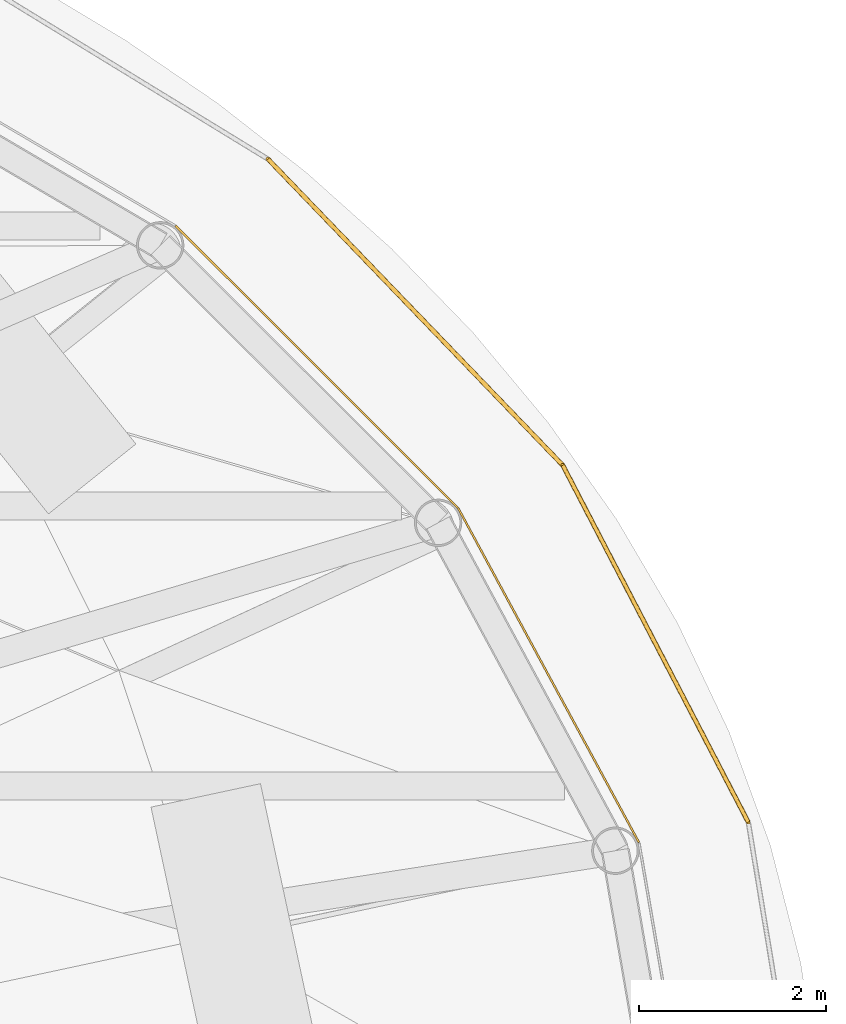
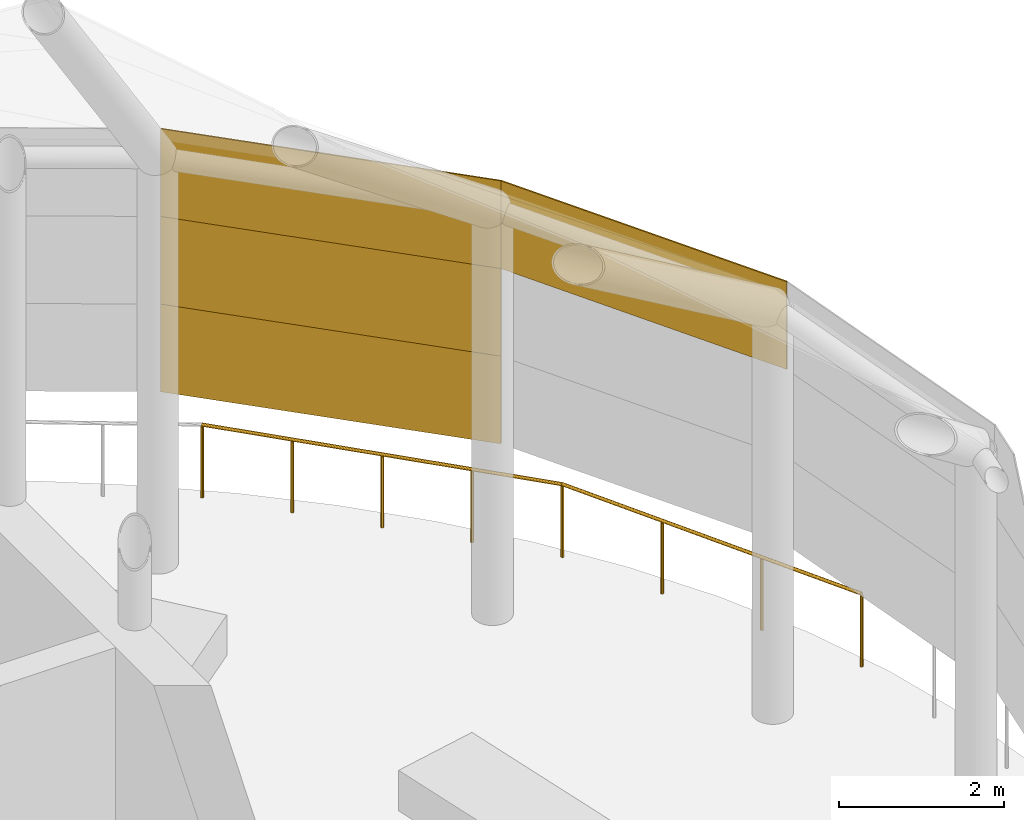
# One storey, part 8 of 8: 4 coverings, 2 railings.
"""IFC4 building model written with IfcOpenShell, lengths in metres."""

from ifc_helpers import new_model, si_unit, direction, frame, origin, origin_2d, place, context, subcontext, project, spatial, polyline, circle, outline, extrude, material, layer, layer_set, type_object, element, save


model = new_model("IFC4")

# Units and contexts
model_context = context("Model", 3, precision=1e-05, world=origin(), true_north=direction((0.0, 1.0)))
body_context = subcontext(model_context, "Body", "Model", "MODEL_VIEW")
ifc_project = project(units=[si_unit("LENGTHUNIT", "METRE"), si_unit("AREAUNIT", "SQUARE_METRE"), si_unit("VOLUMEUNIT", "CUBIC_METRE"), si_unit("PLANEANGLEUNIT", "RADIAN"), si_unit("MASSUNIT", "GRAM", prefix="KILO")], contexts=[model_context])

# Site, building, storey
site_placement = place(None, origin())
site = spatial("IfcSite", under=ifc_project, at=site_placement, CompositionType="ELEMENT")
building_placement = place(site_placement, origin())
building = spatial("IfcBuilding", under=site, at=building_placement, Name="Hankou Lantern Tower", CompositionType="ELEMENT")
storey_placement = place(building_placement, frame((0.0, 0.0, 248.699951171875)))
storey = spatial("IfcBuildingStorey", under=building, at=storey_placement, Name="RF", CompositionType="ELEMENT", Elevation=248.699951171875)

# Railings
ifc_material_1 = material(Name="Stainless steel and laminated glass guard", Category="steel")
railing_type = type_object("IfcRailingType", Name="GR1 GUARD 1100", PredefinedType="GUARDRAIL", material=ifc_material_1)
railing_1_placement = place(storey_placement, frame((19.171142578125, 4.109619140625, 0.0)))
element("IfcRailing", 1, at=railing_1_placement, inside=storey, type_object=railing_type, Name="Roof garden guard R02", PredefinedType="GUARDRAIL", context=body_context, shape_type="SweptSolid", body=[
    extrude(circle(Radius=0.02392578125, at=origin_2d()), frame((0.0, 0.0, 1.076171875), z_axis=(-0.461153089245, 0.887320589347, 0.0), x_axis=(-0.887320589347, -0.461153089245, 0.0)), (0.0, 0.0, 1.0), 4.3125),
    extrude(circle(Radius=0.02099609375, at=origin_2d()), origin(), (0.0, 0.0, 1.0), 1.052001953125),
    extrude(circle(Radius=0.02099609375, at=origin_2d()), frame((-0.662841796875, 1.275634765625, 0.0)), (0.0, 0.0, 1.0), 1.052001953125),
    extrude(circle(Radius=0.02099609375, at=origin_2d()), frame((-1.325927734375, 2.551025390625, 0.0)), (0.0, 0.0, 1.0), 1.052001953125),
    extrude(circle(Radius=0.02099609375, at=origin_2d()), frame((-1.98876953125, 3.82666015625, 0.0)), (0.0, 0.0, 1.0), 1.052001953125),
])
railing_2_placement = place(storey_placement, frame((17.182373046875, 7.936279296875, 0.0)))
element("IfcRailing", 2, at=railing_2_placement, inside=storey, type_object=railing_type, Name="Roof garden guard R03", PredefinedType="GUARDRAIL", context=body_context, shape_type="SweptSolid", body=[
    extrude(circle(Radius=0.02392578125, at=origin_2d()), frame((0.0, 0.0, 1.076171875), z_axis=(-0.693555176041, 0.720403510394, 0.0), x_axis=(-0.720403510394, -0.693555176041, 0.0)), (0.0, 0.0, 1.0), 4.5556640625),
    extrude(circle(Radius=0.02099609375, at=origin_2d()), origin(), (0.0, 0.0, 1.0), 1.052001953125),
    extrude(circle(Radius=0.02099609375, at=origin_2d()), frame((-0.7900390625, 0.820556640625, 0.0)), (0.0, 0.0, 1.0), 1.052001953125),
    extrude(circle(Radius=0.02099609375, at=origin_2d()), frame((-1.579833984375, 1.64111328125, 0.0)), (0.0, 0.0, 1.0), 1.052001953125),
    extrude(circle(Radius=0.02099609375, at=origin_2d()), frame((-2.36962890625, 2.46142578125, 0.0)), (0.0, 0.0, 1.0), 1.052001953125),
    extrude(circle(Radius=0.02099609375, at=origin_2d()), frame((-3.15966796875, 3.281982421875, 0.0)), (0.0, 0.0, 1.0), 1.052001953125),
])

# Coverings
ifc_material_2 = material(Name="Perforated aluminium, black anodised", Category="aluminium")
ifc_layer = layer(ifc_material_2, 0.02001953125)
ifc_layer_set = layer_set([ifc_layer], Name="Perforated aluminium, black anodised")
covering_type = type_object("IfcCoveringType", Name="LS1 LANTERN SCREEN PANEL", PredefinedType="CLADDING", material=ifc_layer_set)
covering_1_placement = place(storey_placement, frame((18.007568359375, 3.89794921875, 4.949951171875), z_axis=(0.879673317094, 0.475578442734, 0.0), x_axis=(-0.475578442734, 0.879673317094, 0.0)))
element("IfcCovering", 3, at=covering_1_placement, inside=storey, type_object=covering_type, Name="Lantern screen R02-R03 row 3", PredefinedType="CLADDING", context=body_context, shape_type="SweptSolid", body=[
    extrude(outline(polyline([(0.0, 0.0), (4.074499528377186, 0.0), (4.074499528377186, 1.3000488281249998), (0.0, 1.3000488281249998), (0.0, 0.0)])), origin(), (0.0, 0.0, -1.0), 0.02001953125),
])
covering_2_placement = place(storey_placement, frame((16.06640625, 7.487060546875, 2.35009765625), z_axis=(0.706564598216, 0.70764854875, 0.0), x_axis=(-0.70764854875, 0.706564598216, 0.0)))
element("IfcCovering", 4, at=covering_2_placement, inside=storey, type_object=covering_type, Name="Lantern screen R03-R04 row 1", PredefinedType="CLADDING", context=body_context, shape_type="SweptSolid", body=[
    extrude(outline(polyline([(0.0, 0.0), (4.279412877831817, 0.0), (4.279412877831817, 1.3000488281250002), (0.0, 1.3000488281250002), (0.0, 0.0)])), origin(), (0.0, 0.0, -1.0), 0.02001953125),
])
covering_3_placement = place(storey_placement, frame((16.06640625, 7.487060546875, 3.650146484375), z_axis=(0.706564598216, 0.70764854875, 0.0), x_axis=(-0.70764854875, 0.706564598216, 0.0)))
element("IfcCovering", 5, at=covering_3_placement, inside=storey, type_object=covering_type, Name="Lantern screen R03-R04 row 2", PredefinedType="CLADDING", context=body_context, shape_type="SweptSolid", body=[
    extrude(outline(polyline([(0.0, 0.0), (4.279412877831817, 0.0), (4.279412877831817, 1.2998046875), (0.0, 1.2998046875), (0.0, 0.0)])), origin(), (0.0, 0.0, -1.0), 0.02001953125),
])
covering_4_placement = place(storey_placement, frame((16.06640625, 7.487060546875, 4.949951171875), z_axis=(0.706564598216, 0.70764854875, 0.0), x_axis=(-0.70764854875, 0.706564598216, 0.0)))
element("IfcCovering", 6, at=covering_4_placement, inside=storey, type_object=covering_type, Name="Lantern screen R03-R04 row 3", PredefinedType="CLADDING", context=body_context, shape_type="SweptSolid", body=[
    extrude(outline(polyline([(0.0, 0.0), (4.279412877831817, 0.0), (4.279412877831817, 1.3000488281250002), (0.0, 1.3000488281250002), (0.0, 0.0)])), origin(), (0.0, 0.0, -1.0), 0.02001953125),
])

save(model, "model.ifc")
